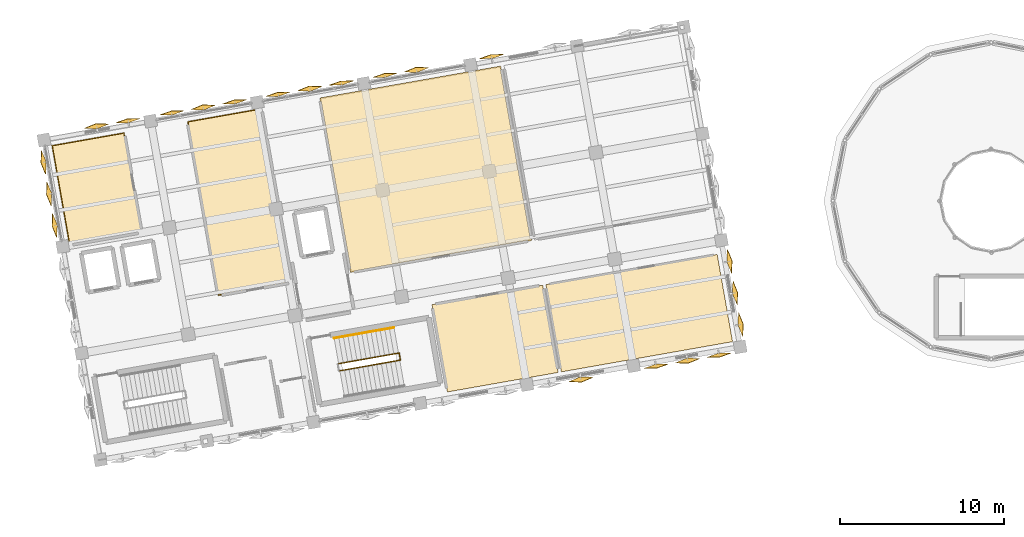
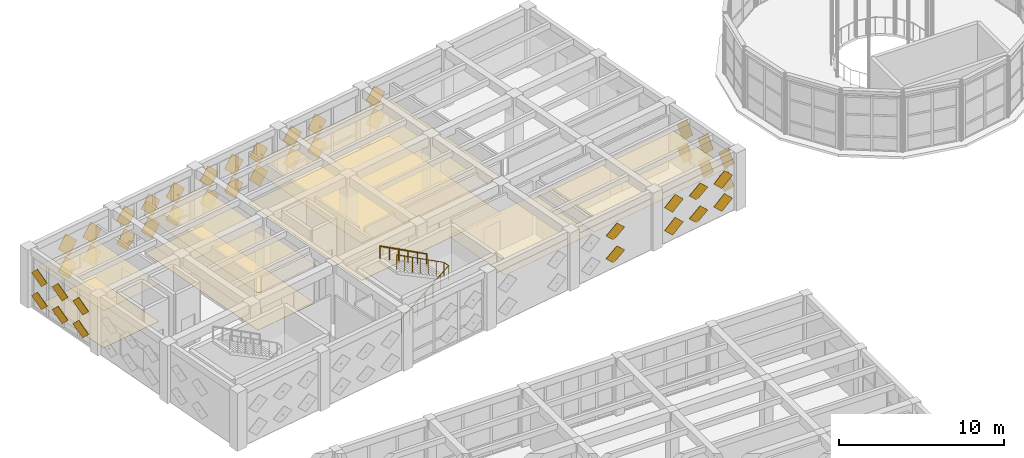
# One storey, part 76 of 80: 48 coverings, 2 railings, 2 shading devices.
"""IFC4 building model written with IfcOpenShell, lengths in metres."""

from ifc_helpers import new_model, si_unit, direction, frame, origin, origin_2d, place, context, subcontext, project, spatial, polyline, circle, outline, extrude, material, layer, layer_set, type_object, element, save


model = new_model("IFC4")

# Units and contexts
model_context = context("Model", 3, precision=1e-05, world=origin(), true_north=direction((0.0, 1.0)))
body_context = subcontext(model_context, "Body", "Model", "MODEL_VIEW")
ifc_project = project(units=[si_unit("LENGTHUNIT", "METRE"), si_unit("AREAUNIT", "SQUARE_METRE"), si_unit("VOLUMEUNIT", "CUBIC_METRE"), si_unit("PLANEANGLEUNIT", "RADIAN"), si_unit("MASSUNIT", "GRAM", prefix="KILO")], contexts=[model_context])

# Site, building, storey
site_placement = place(None, origin())
site = spatial("IfcSite", under=ifc_project, at=site_placement, CompositionType="ELEMENT")
building_placement = place(site_placement, origin())
building = spatial("IfcBuilding", under=site, at=building_placement, Name="Kharisveld Research Institute", CompositionType="ELEMENT")
storey_placement = place(building_placement, frame((0.0, 0.0, 5.10009765625)))
storey = spatial("IfcBuildingStorey", under=building, at=storey_placement, Name="L01", CompositionType="ELEMENT", Elevation=5.10009765625)

# Coverings
ifc_material_1 = material(Name="Mineral-Fibre Acoustic Ceiling", Category="mineral")
ifc_layer_1 = layer(ifc_material_1, 0.02490234375)
ifc_layer_set_1 = layer_set([ifc_layer_1], Name="CV_CEIL_AC")
covering_type_1 = type_object("IfcCoveringType", Name="CV_CEIL_AC", PredefinedType="CEILING", material=ifc_layer_set_1)
covering_1_placement = place(storey_placement, frame((0.0, 0.0, 2.7998046875)))
element("IfcCovering", 1, at=covering_1_placement, inside=storey, type_object=covering_type_1, Name="COV:RM:V1:L01:NW:CEIL", PredefinedType="CEILING", context=body_context, shape_type="SweptSolid", body=[
    extrude(outline(polyline([(3.3017578125, 48.078857421875), (7.7333984375, 48.8603515625), (6.65673828125, 54.966064453125), (2.22509765625, 54.184814453125), (3.3017578125, 48.078857421875)])), origin(), (0.0, 0.0, 1.0), 0.025146484375),
])
covering_2_placement = place(storey_placement, frame((0.0, 0.0, 2.7998046875)))
element("IfcCovering", 2, at=covering_2_placement, inside=storey, type_object=covering_type_1, Name="COV:RM:V1:L01:N1:CEIL", PredefinedType="CEILING", context=body_context, shape_type="SweptSolid", body=[
    extrude(outline(polyline([(12.373046875, 45.007568359375), (16.903076171875, 45.80615234375), (15.027587890625, 56.442138671875), (10.49755859375, 55.643310546875), (12.373046875, 45.007568359375)])), origin(), (0.0, 0.0, 1.0), 0.025146484375),
])
covering_3_placement = place(storey_placement, frame((0.0, 0.0, 2.7998046875)))
element("IfcCovering", 3, at=covering_3_placement, inside=storey, type_object=covering_type_1, Name="COV:RM:V1:L01:N2:CEIL", PredefinedType="CEILING", context=body_context, shape_type="SweptSolid", body=[
    extrude(outline(polyline([(20.4482421875, 46.431396484375), (31.478271484375, 48.376220703125), (29.602783203125, 59.01220703125), (18.572998046875, 57.0673828125), (20.4482421875, 46.431396484375)])), origin(), (0.0, 0.0, 1.0), 0.025146484375),
])
covering_4_placement = place(storey_placement, frame((0.0, 0.0, 2.7998046875)))
element("IfcCovering", 4, at=covering_4_placement, inside=storey, type_object=covering_type_1, Name="COV:RM:V1:L01:S1:CEIL", PredefinedType="CEILING", context=body_context, shape_type="SweptSolid", body=[
    extrude(outline(polyline([(26.35302734375, 39.14599609375), (33.09912109375, 40.33544921875), (32.161376953125, 45.653564453125), (25.41552734375, 44.464111328125), (26.35302734375, 39.14599609375)])), origin(), (0.0, 0.0, 1.0), 0.025146484375),
])
covering_5_placement = place(storey_placement, frame((0.0, 0.0, 2.7998046875)))
element("IfcCovering", 5, at=covering_5_placement, inside=storey, type_object=covering_type_1, Name="COV:RM:V1:L01:S2:CEIL", PredefinedType="CEILING", context=body_context, shape_type="SweptSolid", body=[
    extrude(outline(polyline([(33.296142578125, 40.370361328125), (43.735107421875, 42.2109375), (42.79736328125, 47.52880859375), (32.3583984375, 45.688232421875), (33.296142578125, 40.370361328125)])), origin(), (0.0, 0.0, 1.0), 0.025146484375),
])
ifc_material_2 = material(Name="Seamless Chemical-Resistant Epoxy", Category="mineral")
ifc_layer_2 = layer(ifc_material_2, 0.014892578125)
ifc_layer_set_2 = layer_set([ifc_layer_2], Name="CV_FLR_EPX")
covering_type_2 = type_object("IfcCoveringType", Name="CV_FLR_EPX", PredefinedType="FLOORING", material=ifc_layer_set_2)
covering_6_placement = place(storey_placement, origin())
element("IfcCovering", 6, at=covering_6_placement, inside=storey, type_object=covering_type_2, Name="COV:RM:V1:L01:NW:FLR", PredefinedType="FLOORING", context=body_context, shape_type="SweptSolid", body=[
    extrude(outline(polyline([(3.34228515625, 48.136962890625), (7.675537109375, 48.90087890625), (6.6162109375, 54.908203125), (2.282958984375, 54.144287109375), (3.34228515625, 48.136962890625)])), origin(), (0.0, 0.0, 1.0), 0.014892578125),
])
covering_7_placement = place(storey_placement, origin())
element("IfcCovering", 7, at=covering_7_placement, inside=storey, type_object=covering_type_2, Name="COV:RM:V1:L01:N1:FLR", PredefinedType="FLOORING", context=body_context, shape_type="SweptSolid", body=[
    extrude(outline(polyline([(12.41357421875, 45.0654296875), (16.84521484375, 45.8466796875), (14.987060546875, 56.38427734375), (10.555419921875, 55.602783203125), (12.41357421875, 45.0654296875)])), origin(), (0.0, 0.0, 1.0), 0.014892578125),
])
covering_8_placement = place(storey_placement, origin())
element("IfcCovering", 8, at=covering_8_placement, inside=storey, type_object=covering_type_2, Name="COV:RM:V1:L01:N2:FLR", PredefinedType="FLOORING", context=body_context, shape_type="SweptSolid", body=[
    extrude(outline(polyline([(20.489013671875, 46.4892578125), (31.420166015625, 48.416748046875), (29.562255859375, 58.954345703125), (18.630859375, 57.026611328125), (20.489013671875, 46.4892578125)])), origin(), (0.0, 0.0, 1.0), 0.014892578125),
])

# Railings
ifc_material_3 = material(Name="Steel S355JR", Category="steel")
railing_type_1 = type_object("IfcRailingType", Name="RL_GRD_STR", PredefinedType="GUARDRAIL", material=ifc_material_3)
railing_1_placement = place(storey_placement, frame((19.79931640625, 40.4375, 0.0)))
element("IfcRailing", 9, at=railing_1_placement, inside=storey, type_object=railing_type_1, Name="RLG:ST2:L01:GRD_SLOT", PredefinedType="GUARDRAIL", context=body_context, shape_type="SweptSolid", body=[
    extrude(circle(Radius=0.02392578125, at=origin_2d()), frame((0.0, 0.0, 1.09619140625), z_axis=(0.844157266411, 0.148870313632, 0.515010814726), x_axis=(-0.173673761132, 0.984803241614, 0.0)), (0.0, 0.0, 1.0), 4.368896484375),
    extrude(circle(Radius=0.02392578125, at=origin_2d()), frame((3.68798828125, 0.650390625, 3.34619140625), z_axis=(-0.173658729201, 0.984805892434, 0.0), x_axis=(-0.984805892434, -0.173658729201, 0.0)), (0.0, 0.0, 1.0), 0.43994140625),
    extrude(circle(Radius=0.02392578125, at=origin_2d()), frame((3.611572265625, 1.083740234375, 3.34619140625), z_axis=(-0.844157266411, -0.148870313632, 0.515010814726), x_axis=(0.173673761132, -0.984803241614, 0.0)), (0.0, 0.0, 1.0), 4.368896484375),
    extrude(circle(Radius=0.02099609375, at=origin_2d()), origin(), (0.0, 0.0, 1.0), 1.072021484375),
    extrude(circle(Radius=0.02099609375, at=origin_2d()), frame((0.61474609375, 0.1083984375, 0.375)), (0.0, 0.0, 1.0), 1.072021484375),
    extrude(circle(Radius=0.02099609375, at=origin_2d()), frame((1.229248046875, 0.216796875, 0.75)), (0.0, 0.0, 1.0), 1.072021484375),
    extrude(circle(Radius=0.02099609375, at=origin_2d()), frame((1.843994140625, 0.3251953125, 1.125)), (0.0, 0.0, 1.0), 1.072021484375),
    extrude(circle(Radius=0.02099609375, at=origin_2d()), frame((2.458740234375, 0.43359375, 1.5)), (0.0, 0.0, 1.0), 1.072021484375),
    extrude(circle(Radius=0.02099609375, at=origin_2d()), frame((3.0732421875, 0.5419921875, 1.875)), (0.0, 0.0, 1.0), 1.072021484375),
    extrude(circle(Radius=0.02099609375, at=origin_2d()), frame((3.68798828125, 0.650390625, 2.25)), (0.0, 0.0, 1.0), 1.072021484375),
    extrude(circle(Radius=0.02099609375, at=origin_2d()), frame((3.611572265625, 1.083740234375, 2.25)), (0.0, 0.0, 1.0), 1.072021484375),
    extrude(circle(Radius=0.02099609375, at=origin_2d()), frame((2.996826171875, 0.975341796875, 2.625)), (0.0, 0.0, 1.0), 1.072021484375),
    extrude(circle(Radius=0.02099609375, at=origin_2d()), frame((2.38232421875, 0.866943359375, 3.0)), (0.0, 0.0, 1.0), 1.072021484375),
    extrude(circle(Radius=0.02099609375, at=origin_2d()), frame((1.767578125, 0.758544921875, 3.375)), (0.0, 0.0, 1.0), 1.072021484375),
    extrude(circle(Radius=0.02099609375, at=origin_2d()), frame((1.15283203125, 0.650146484375, 3.75)), (0.0, 0.0, 1.0), 1.072021484375),
    extrude(circle(Radius=0.02099609375, at=origin_2d()), frame((0.538330078125, 0.541748046875, 4.125)), (0.0, 0.0, 1.0), 1.072021484375),
    extrude(circle(Radius=0.02099609375, at=origin_2d()), frame((-0.076416015625, 0.433349609375, 4.5)), (0.0, 0.0, 1.0), 1.072021484375),
])
ifc_material_4 = material(Name="Stainless Steel 316", Category="steel")
railing_type_2 = type_object("IfcRailingType", Name="RL_HND_STR", PredefinedType="HANDRAIL", material=ifc_material_4)
railing_2_placement = place(storey_placement, frame((23.09716796875, 43.0703125, 2.25)))
element("IfcRailing", 10, at=railing_2_placement, inside=storey, type_object=railing_type_2, Name="RLG:ST2:L01:HR2", PredefinedType="HANDRAIL", context=body_context, shape_type="SweptSolid", body=[
    extrude(circle(Radius=0.02392578125, at=origin_2d()), frame((0.0, 0.0, 0.89599609375), z_axis=(-0.841746897377, -0.148411045473, 0.519072559801), x_axis=(0.173634966033, -0.984810082488, 0.0)), (0.0, 0.0, 1.0), 4.334716796875),
    extrude(circle(Radius=0.02099609375, at=origin_2d()), origin(), (0.0, 0.0, 1.0), 0.871826171875),
    extrude(circle(Radius=0.02099609375, at=origin_2d()), frame((-0.729736328125, -0.128662109375, 0.449951171875)), (0.0, 0.0, 1.0), 0.871826171875),
    extrude(circle(Radius=0.02099609375, at=origin_2d()), frame((-1.45947265625, -0.25732421875, 0.89990234375)), (0.0, 0.0, 1.0), 0.871826171875),
    extrude(circle(Radius=0.02099609375, at=origin_2d()), frame((-2.189208984375, -0.385986328125, 1.35009765625)), (0.0, 0.0, 1.0), 0.871826171875),
    extrude(circle(Radius=0.02099609375, at=origin_2d()), frame((-2.9189453125, -0.5146484375, 1.800048828125)), (0.0, 0.0, 1.0), 0.871826171875),
    extrude(circle(Radius=0.02099609375, at=origin_2d()), frame((-3.648681640625, -0.643310546875, 2.25)), (0.0, 0.0, 1.0), 0.871826171875),
])

# Coverings
ifc_material_5 = material(Name="White Powder-Coated Perforated Aluminium", Category="aluminium")
covering_type_3 = type_object("IfcCoveringType", Name="CV_DIA_105", PredefinedType="CLADDING")
for number, where, z_axis, x_axis, name in (
    (11, (2.237060546875, 51.2421875, 0.324951171875), (0.961420032054, 0.169652917176, 0.216539626071), (-0.273667258538, 0.669685861016, 0.690381835769), "SHD:V1:L01:W2:S1C0"),
    (12, (2.237060546875, 51.2421875, 2.025146484375), (0.961420032054, 0.169652917176, 0.216539626071), (-0.273667258538, 0.669685861016, 0.690381835769), "SHD:V1:L01:W2:S1C1"),
):
    element("IfcCovering", number, at=place(storey_placement, frame(where, z_axis=z_axis, x_axis=x_axis)), inside=storey, type_object=covering_type_3, material=ifc_material_5, Name=name, PredefinedType="CLADDING", context=body_context, shape_type="SweptSolid", body=[
        extrude(outline(polyline([(0.0, 0.0), (1.0499378206599106, 0.0), (1.0500673127316735, 1.0499534809922781), (-3.40054528989997e-05, 1.0501299963078314), (0.0, 0.0)])), origin(), (0.0, 0.0, -1.0), 0.02392578125),
    ])
for number, where, z_axis, x_axis, name in (
    (13, (1.897705078125, 53.165771484375, 0.324951171875), (0.961481187298, 0.169503194288, 0.216385289699), (-0.273447448775, 0.669849989418, 0.690309701826), "SHD:V1:L01:W2:S2C0"),
    (14, (1.897705078125, 53.165771484375, 2.025146484375), (0.961481187298, 0.169503194288, 0.216385289699), (-0.273447448775, 0.669849989418, 0.690309701826), "SHD:V1:L01:W2:S2C1"),
):
    element("IfcCovering", number, at=place(storey_placement, frame(where, z_axis=z_axis, x_axis=x_axis)), inside=storey, type_object=covering_type_3, material=ifc_material_5, Name=name, PredefinedType="CLADDING", context=body_context, shape_type="SweptSolid", body=[
        extrude(outline(polyline([(0.0, 0.0), (1.0500345517563856, -1.1102230246251565e-16), (1.0498172010450848, 1.0501299743656882), (-5.381311622809637e-05, 1.0499534875988095), (0.0, 0.0)])), origin(), (0.0, 0.0, -1.0), 0.02392578125),
    ])
for number, where, z_axis, x_axis, name in (
    (15, (4.994384765625, 55.179931640625, 0.324951171875), (0.169497253476, -0.961447488939, 0.216539620108), (0.669826337005, 0.273555095257, 0.690290002907), "SHD:V1:L01:N0:S1C0"),
    (16, (4.994384765625, 55.179931640625, 2.025146484375), (0.169497253476, -0.961447488939, 0.216539620108), (0.669826337005, 0.273555095257, 0.690290002907), "SHD:V1:L01:N0:S1C1"),
):
    element("IfcCovering", number, at=place(storey_placement, frame(where, z_axis=z_axis, x_axis=x_axis)), inside=storey, type_object=covering_type_3, material=ifc_material_5, Name=name, PredefinedType="CLADDING", context=body_context, shape_type="SweptSolid", body=[
        extrude(outline(polyline([(0.0, 0.0), (1.0501013287743868, 0.0), (1.0498908116789152, 1.0501299715118642), (1.9800637014233402e-05, 1.0499603251677767), (0.0, 0.0)])), origin(), (0.0, 0.0, -1.0), 0.02392578125),
    ])
covering_9_placement = place(storey_placement, frame((6.911376953125, 55.556884765625, 0.317626953125), z_axis=(0.171238636855, -0.971325222312, 0.164938296792), x_axis=(0.676191865964, 0.23762399085, 0.697351704219)))
element("IfcCovering", 17, at=covering_9_placement, inside=storey, type_object=covering_type_3, material=ifc_material_5, Name="SHD:V1:L01:N0:S2C0", PredefinedType="CLADDING", context=body_context, shape_type="SweptSolid", body=[
    extrude(outline(polyline([(0.0, 0.0), (1.0499451723202433, -1.1102230246251565e-16), (1.0499335917706356, 1.0500851276195962), (-0.00018183243052050102, 1.0499148413347306), (0.0, 0.0)])), origin(), (0.0, 0.0, -1.0), 0.02392578125),
])
covering_10_placement = place(storey_placement, frame((6.911376953125, 55.556884765625, 2.017578125), z_axis=(0.171238636855, -0.971325222312, 0.164938296792), x_axis=(0.676075661849, 0.237622709321, 0.697464800165)))
element("IfcCovering", 18, at=covering_10_placement, inside=storey, type_object=covering_type_3, material=ifc_material_5, Name="SHD:V1:L01:N0:S2C1", PredefinedType="CLADDING", context=body_context, shape_type="SweptSolid", body=[
    extrude(outline(polyline([(0.0, 0.0), (1.050115438007933, 0.0), (1.0501038593359955, 1.049914857016463), (0.00015870082029023624, 1.050085115691115), (0.0, 0.0)])), origin(), (0.0, 0.0, -1.0), 0.02392578125),
])
covering_11_placement = place(storey_placement, frame((9.563720703125, 56.0244140625, 0.317626953125), z_axis=(0.171234061711, -0.9712992705, 0.165095800177), x_axis=(0.676173830196, 0.2377336742, 0.697331808761)))
element("IfcCovering", 19, at=covering_11_placement, inside=storey, type_object=covering_type_3, material=ifc_material_5, Name="SHD:V1:L01:N1:S0C0", PredefinedType="CLADDING", context=body_context, shape_type="SweptSolid", body=[
    extrude(outline(polyline([(0.0, 0.0), (1.0500032083471293, -1.1102230246251565e-16), (1.0499897163291267, 1.0500851186270816), (-0.00012569859382338677, 1.049912938756706), (0.0, 0.0)])), origin(), (0.0, 0.0, -1.0), 0.02392578125),
])
covering_12_placement = place(storey_placement, frame((9.563720703125, 56.0244140625, 2.017578125), z_axis=(0.171234061711, -0.9712992705, 0.165095800177), x_axis=(0.676057632461, 0.237732410628, 0.697444892825)))
element("IfcCovering", 20, at=covering_12_placement, inside=storey, type_object=covering_type_3, material=ifc_material_5, Name="SHD:V1:L01:N1:S0C1", PredefinedType="CLADDING", context=body_context, shape_type="SweptSolid", body=[
    extrude(outline(polyline([(0.0, 0.0), (1.050173469176079, 1.1102230246251565e-16), (1.0501599702440891, 1.049914852574201), (0.0002148158393612265, 1.050083199772804), (0.0, 0.0)])), origin(), (0.0, 0.0, -1.0), 0.02392578125),
])
for number, where, z_axis, x_axis, name in (
    (21, (11.494140625, 56.326171875, 0.324951171875), (0.169503194288, -0.961481187298, 0.216385289699), (0.669849989418, 0.273447448775, 0.690309701826), "SHD:V1:L01:N1:S1C0"),
    (22, (11.494140625, 56.326171875, 2.025146484375), (0.169503194288, -0.961481187298, 0.216385289699), (0.669849989418, 0.273447448775, 0.690309701826), "SHD:V1:L01:N1:S1C1"),
):
    element("IfcCovering", number, at=place(storey_placement, frame(where, z_axis=z_axis, x_axis=x_axis)), inside=storey, type_object=covering_type_3, material=ifc_material_5, Name=name, PredefinedType="CLADDING", context=body_context, shape_type="SweptSolid", body=[
        extrude(outline(polyline([(0.0, 0.0), (1.0500345517563856, -1.1102230246251565e-16), (1.0498172010450848, 1.0501299743656882), (-5.381311622809637e-05, 1.0499534875988095), (0.0, 0.0)])), origin(), (0.0, 0.0, -1.0), 0.02392578125),
    ])
covering_13_placement = place(storey_placement, frame((13.4111328125, 56.702880859375, 0.317626953125), z_axis=(0.171234061711, -0.9712992705, 0.165095800177), x_axis=(0.676172534966, 0.237733660148, 0.69733306948)))
element("IfcCovering", 23, at=covering_13_placement, inside=storey, type_object=covering_type_3, material=ifc_material_5, Name="SHD:V1:L01:N1:S2C0", PredefinedType="CLADDING", context=body_context, shape_type="SweptSolid", body=[
    extrude(outline(polyline([(0.0, 0.0), (1.049945167901042, 2.220446049250313e-16), (1.0499916144071415, 1.0500832207180806), (-0.0001818412696886762, 1.0499148369138707), (0.0, 0.0)])), origin(), (0.0, 0.0, -1.0), 0.02392578125),
])
covering_14_placement = place(storey_placement, frame((13.4111328125, 56.702880859375, 2.017578125), z_axis=(0.171234061711, -0.9712992705, 0.165095800177), x_axis=(0.67605633082, 0.237732396439, 0.697446159385)))
element("IfcCovering", 24, at=covering_14_placement, inside=storey, type_object=covering_type_3, material=ifc_material_5, Name="SHD:V1:L01:N1:S2C1", PredefinedType="CLADDING", context=body_context, shape_type="SweptSolid", body=[
    extrude(outline(polyline([(0.0, 0.0), (1.050115429038497, -1.1102230246251565e-16), (1.0501618771158647, 1.0499129452537745), (0.00015868288277420817, 1.050085106724131), (0.0, 0.0)])), origin(), (0.0, 0.0, -1.0), 0.02392578125),
])
covering_15_placement = place(storey_placement, frame((16.0634765625, 57.170654296875, 0.317626953125), z_axis=(0.171238636855, -0.971325222312, 0.164938296792), x_axis=(0.676191865964, 0.23762399085, 0.697351704219)))
element("IfcCovering", 25, at=covering_15_placement, inside=storey, type_object=covering_type_3, material=ifc_material_5, Name="SHD:V1:L01:N2:S0C0", PredefinedType="CLADDING", context=body_context, shape_type="SweptSolid", body=[
    extrude(outline(polyline([(0.0, 0.0), (1.0499451723202433, -1.1102230246251565e-16), (1.0499335917706356, 1.0500851276195962), (-0.00018183243052050102, 1.0499148413347306), (0.0, 0.0)])), origin(), (0.0, 0.0, -1.0), 0.02392578125),
])
covering_16_placement = place(storey_placement, frame((16.0634765625, 57.170654296875, 2.017578125), z_axis=(0.171238636855, -0.971325222312, 0.164938296792), x_axis=(0.676075661849, 0.237622709321, 0.697464800165)))
element("IfcCovering", 26, at=covering_16_placement, inside=storey, type_object=covering_type_3, material=ifc_material_5, Name="SHD:V1:L01:N2:S0C1", PredefinedType="CLADDING", context=body_context, shape_type="SweptSolid", body=[
    extrude(outline(polyline([(0.0, 0.0), (1.050115438007933, 0.0), (1.0501038593359955, 1.049914857016463), (0.00015870082029023624, 1.050085115691115), (0.0, 0.0)])), origin(), (0.0, 0.0, -1.0), 0.02392578125),
])
for number, where, z_axis, x_axis, name in (
    (27, (17.993896484375, 57.47216796875, 0.324951171875), (0.169530643305, -0.961476347302, 0.21638529192), (0.669725119033, 0.273471090272, 0.690421485559), "SHD:V1:L01:N2:S1C0"),
    (28, (17.993896484375, 57.47216796875, 2.025146484375), (0.169530643305, -0.961476347302, 0.21638529192), (0.669725119033, 0.273471090272, 0.690421485559), "SHD:V1:L01:N2:S1C1"),
):
    element("IfcCovering", number, at=place(storey_placement, frame(where, z_axis=z_axis, x_axis=x_axis)), inside=storey, type_object=covering_type_3, material=ifc_material_5, Name=name, PredefinedType="CLADDING", context=body_context, shape_type="SweptSolid", body=[
        extrude(outline(polyline([(0.0, 0.0), (1.0498710291992122, 0.0), (1.0499937163043682, 1.0499534820137317), (0.00012268710515594972, 1.049953482013732), (0.0, 0.0)])), origin(), (0.0, 0.0, -1.0), 0.02392578125),
    ])
covering_17_placement = place(storey_placement, frame((19.910888671875, 57.848876953125, 0.317626953125), z_axis=(0.171234061711, -0.9712992705, 0.165095800177), x_axis=(0.676173830196, 0.2377336742, 0.697331808761)))
element("IfcCovering", 29, at=covering_17_placement, inside=storey, type_object=covering_type_3, material=ifc_material_5, Name="SHD:V1:L01:N2:S2C0", PredefinedType="CLADDING", context=body_context, shape_type="SweptSolid", body=[
    extrude(outline(polyline([(0.0, 0.0), (1.0500032083471293, -1.1102230246251565e-16), (1.0499897163291267, 1.0500851186270816), (-0.00012569859382338677, 1.049912938756706), (0.0, 0.0)])), origin(), (0.0, 0.0, -1.0), 0.02392578125),
])
covering_18_placement = place(storey_placement, frame((19.910888671875, 57.848876953125, 2.017578125), z_axis=(0.171234061711, -0.9712992705, 0.165095800177), x_axis=(0.676057632461, 0.237732410628, 0.697444892825)))
element("IfcCovering", 30, at=covering_18_placement, inside=storey, type_object=covering_type_3, material=ifc_material_5, Name="SHD:V1:L01:N2:S2C1", PredefinedType="CLADDING", context=body_context, shape_type="SweptSolid", body=[
    extrude(outline(polyline([(0.0, 0.0), (1.050173469176079, 1.1102230246251565e-16), (1.0501599702440891, 1.049914852574201), (0.0002148158393612265, 1.050083199772804), (0.0, 0.0)])), origin(), (0.0, 0.0, -1.0), 0.02392578125),
])
covering_19_placement = place(storey_placement, frame((22.563232421875, 58.316650390625, 0.317626953125), z_axis=(0.171234061711, -0.9712992705, 0.165095800177), x_axis=(0.676172534966, 0.237733660148, 0.69733306948)))
element("IfcCovering", 31, at=covering_19_placement, inside=storey, type_object=covering_type_3, material=ifc_material_5, Name="SHD:V1:L01:N3:S0C0", PredefinedType="CLADDING", context=body_context, shape_type="SweptSolid", body=[
    extrude(outline(polyline([(0.0, 0.0), (1.049945167901042, 2.220446049250313e-16), (1.0499916144071415, 1.0500832207180806), (-0.0001818412696886762, 1.0499148369138707), (0.0, 0.0)])), origin(), (0.0, 0.0, -1.0), 0.02392578125),
])
covering_20_placement = place(storey_placement, frame((22.563232421875, 58.316650390625, 2.017578125), z_axis=(0.171234061711, -0.9712992705, 0.165095800177), x_axis=(0.67605633082, 0.237732396439, 0.697446159385)))
element("IfcCovering", 32, at=covering_20_placement, inside=storey, type_object=covering_type_3, material=ifc_material_5, Name="SHD:V1:L01:N3:S0C1", PredefinedType="CLADDING", context=body_context, shape_type="SweptSolid", body=[
    extrude(outline(polyline([(0.0, 0.0), (1.050115429038497, -1.1102230246251565e-16), (1.0501618771158647, 1.0499129452537745), (0.00015868288277420817, 1.050085106724131), (0.0, 0.0)])), origin(), (0.0, 0.0, -1.0), 0.02392578125),
])
for number, where, z_axis, x_axis, name in (
    (33, (24.49365234375, 58.6181640625, 0.324951171875), (0.169497253476, -0.961447488939, 0.216539620108), (0.669704807286, 0.273559805143, 0.690406042925), "SHD:V1:L01:N3:S1C0"),
    (34, (24.49365234375, 58.6181640625, 2.025146484375), (0.169497253476, -0.961447488939, 0.216539620108), (0.669704807286, 0.273559805143, 0.690406042925), "SHD:V1:L01:N3:S1C1"),
):
    element("IfcCovering", number, at=place(storey_placement, frame(where, z_axis=z_axis, x_axis=x_axis)), inside=storey, type_object=covering_type_3, material=ifc_material_5, Name=name, PredefinedType="CLADDING", context=body_context, shape_type="SweptSolid", body=[
        extrude(outline(polyline([(0.0, 0.0), (1.0499378117878446, 0.0), (1.0500673216048337, 1.0499534721181558), (3.2794728575202825e-05, 1.0501368269494782), (0.0, 0.0)])), origin(), (0.0, 0.0, -1.0), 0.02392578125),
    ])
covering_21_placement = place(storey_placement, frame((29.06298828125, 59.462646484375, 0.317626953125), z_axis=(0.171234061711, -0.9712992705, 0.165095800177), x_axis=(0.676173830196, 0.2377336742, 0.697331808761)))
element("IfcCovering", 35, at=covering_21_placement, inside=storey, type_object=covering_type_3, material=ifc_material_5, Name="SHD:V1:L01:N4:S0C0", PredefinedType="CLADDING", context=body_context, shape_type="SweptSolid", body=[
    extrude(outline(polyline([(0.0, 0.0), (1.0500032083471293, -1.1102230246251565e-16), (1.0499897163291267, 1.0500851186270816), (-0.00012569859382338677, 1.049912938756706), (0.0, 0.0)])), origin(), (0.0, 0.0, -1.0), 0.02392578125),
])
covering_22_placement = place(storey_placement, frame((29.06298828125, 59.462646484375, 2.017578125), z_axis=(0.171234061711, -0.9712992705, 0.165095800177), x_axis=(0.676057632461, 0.237732410628, 0.697444892825)))
element("IfcCovering", 36, at=covering_22_placement, inside=storey, type_object=covering_type_3, material=ifc_material_5, Name="SHD:V1:L01:N4:S0C1", PredefinedType="CLADDING", context=body_context, shape_type="SweptSolid", body=[
    extrude(outline(polyline([(0.0, 0.0), (1.050173469176079, 1.1102230246251565e-16), (1.0501599702440891, 1.049914852574201), (0.0002148158393612265, 1.050083199772804), (0.0, 0.0)])), origin(), (0.0, 0.0, -1.0), 0.02392578125),
])
for number, where, z_axis, x_axis, name in (
    (37, (43.384033203125, 47.0771484375, 0.324951171875), (-0.961481187298, -0.169503194288, 0.216385289699), (0.273452141042, -0.669728459805, 0.690425750307), "SHD:V1:L01:E1:S0C0"),
    (38, (43.384033203125, 47.0771484375, 2.025146484375), (-0.961481187298, -0.169503194288, 0.216385289699), (0.273452141042, -0.669728459805, 0.690425750307), "SHD:V1:L01:E1:S0C1"),
):
    element("IfcCovering", number, at=place(storey_placement, frame(where, z_axis=z_axis, x_axis=x_axis)), inside=storey, type_object=covering_type_3, material=ifc_material_5, Name=name, PredefinedType="CLADDING", context=body_context, shape_type="SweptSolid", body=[
        extrude(outline(polyline([(0.0, 0.0), (1.0498710289953155, -1.1102230246251565e-16), (1.0499937165082887, 1.0499534818098035), (-4.082041178410378e-05, 1.0501299960653954), (0.0, 0.0)])), origin(), (0.0, 0.0, -1.0), 0.02392578125),
    ])
for number, where, z_axis, x_axis, name in (
    (39, (43.72314453125, 45.153564453125, 0.324951171875), (-0.961481187298, -0.169503194288, 0.216385289699), (0.273447448775, -0.669849989418, 0.690309701826), "SHD:V1:L01:E1:S1C0"),
    (40, (43.72314453125, 45.153564453125, 2.025146484375), (-0.961481187298, -0.169503194288, 0.216385289699), (0.273447448775, -0.669849989418, 0.690309701826), "SHD:V1:L01:E1:S1C1"),
):
    element("IfcCovering", number, at=place(storey_placement, frame(where, z_axis=z_axis, x_axis=x_axis)), inside=storey, type_object=covering_type_3, material=ifc_material_5, Name=name, PredefinedType="CLADDING", context=body_context, shape_type="SweptSolid", body=[
        extrude(outline(polyline([(0.0, 0.0), (1.0500345517563856, -1.1102230246251565e-16), (1.0498172010450848, 1.0501299743656882), (-5.381311622809637e-05, 1.0499534875988095), (0.0, 0.0)])), origin(), (0.0, 0.0, -1.0), 0.02392578125),
    ])
for number, where, z_axis, x_axis, name in (
    (41, (44.062255859375, 43.22998046875, 0.324951171875), (-0.961425979727, -0.169653966706, 0.216512394765), (0.27364360613, -0.669810730042, 0.69027006508), "SHD:V1:L01:E1:S2C0"),
    (42, (44.062255859375, 43.22998046875, 2.025146484375), (-0.961425979727, -0.169653966706, 0.216512394765), (0.27364360613, -0.669810730042, 0.69027006508), "SHD:V1:L01:E1:S2C1"),
):
    element("IfcCovering", number, at=place(storey_placement, frame(where, z_axis=z_axis, x_axis=x_axis)), inside=storey, type_object=covering_type_3, material=ifc_material_5, Name=name, PredefinedType="CLADDING", context=body_context, shape_type="SweptSolid", body=[
        extrude(outline(polyline([(0.0, 0.0), (1.0501013332243323, 1.1102230246251565e-16), (1.050054335240126, 1.049953488129867), (-4.699798420648715e-05, 1.049953488129867), (0.0, 0.0)])), origin(), (0.0, 0.0, -1.0), 0.02392578125),
    ])
covering_23_placement = place(storey_placement, frame((42.89599609375, 41.517333984375, 0.317626953125), z_axis=(-0.171233254714, 0.971294692931, 0.165123565742), x_axis=(-0.676170420153, -0.237753007248, 0.69732852405)))
element("IfcCovering", 43, at=covering_23_placement, inside=storey, type_object=covering_type_3, material=ifc_material_5, Name="SHD:V1:L01:S6:S0C0", PredefinedType="CLADDING", context=body_context, shape_type="SweptSolid", body=[
    extrude(outline(polyline([(0.0, 0.0), (1.05000321090027, -1.1102230246251565e-16), (1.0498246377979576, 1.0502600595340117), (-0.0001256934872365667, 1.0499129413106778), (0.0, 0.0)])), origin(), (0.0, 0.0, -1.0), 0.02392578125),
])
covering_24_placement = place(storey_placement, frame((42.89599609375, 41.517333984375, 2.017578125), z_axis=(-0.171233254714, 0.971294692931, 0.165123565742), x_axis=(-0.676054222413, -0.237751746818, 0.697441607048)))
element("IfcCovering", 44, at=covering_24_placement, inside=storey, type_object=covering_type_3, material=ifc_material_5, Name="SHD:V1:L01:S6:S0C1", PredefinedType="CLADDING", context=body_context, shape_type="SweptSolid", body=[
    extrude(outline(polyline([(0.0, 0.0), (1.050173470927158, 0.0), (1.049994919278017, 1.0500898210488234), (0.00021481934116152068, 1.050083201523317), (0.0, 0.0)])), origin(), (0.0, 0.0, -1.0), 0.02392578125),
])
for number, where, z_axis, x_axis, name in (
    (45, (40.9658203125, 41.215576171875, 0.324951171875), (-0.169504241221, 0.961487125864, 0.216358080518), (-0.669853329409, -0.27342850239, 0.690313965642), "SHD:V1:L01:S6:S1C0"),
    (46, (40.9658203125, 41.215576171875, 2.025146484375), (-0.169504241221, 0.961487125864, 0.216358080518), (-0.669853329409, -0.27342850239, 0.690313965642), "SHD:V1:L01:S6:S1C1"),
):
    element("IfcCovering", number, at=place(storey_placement, frame(where, z_axis=z_axis, x_axis=x_axis)), inside=storey, type_object=covering_type_3, material=ifc_material_5, Name=name, PredefinedType="CLADDING", context=body_context, shape_type="SweptSolid", body=[
        extrude(outline(polyline([(0.0, 0.0), (1.0500345519602505, 0.0), (1.0499807392517624, 1.0499534878027108), (-5.381270848814346e-05, 1.049953487802711), (0.0, 0.0)])), origin(), (0.0, 0.0, -1.0), 0.02392578125),
    ])
covering_25_placement = place(storey_placement, frame((39.048828125, 40.8388671875, 0.317626953125), z_axis=(-0.171234061711, 0.9712992705, 0.165095800177), x_axis=(-0.676172534966, -0.237733660148, 0.69733306948)))
element("IfcCovering", 47, at=covering_25_placement, inside=storey, type_object=covering_type_3, material=ifc_material_5, Name="SHD:V1:L01:S6:S2C0", PredefinedType="CLADDING", context=body_context, shape_type="SweptSolid", body=[
    extrude(outline(polyline([(0.0, 0.0), (1.049945167901042, 2.220446049250313e-16), (1.0499916144071415, 1.0500832207180806), (-0.0001818412696886762, 1.0499148369138707), (0.0, 0.0)])), origin(), (0.0, 0.0, -1.0), 0.02392578125),
])
covering_26_placement = place(storey_placement, frame((39.048828125, 40.8388671875, 2.017578125), z_axis=(-0.171234061711, 0.9712992705, 0.165095800177), x_axis=(-0.67605633082, -0.237732396439, 0.697446159385)))
element("IfcCovering", 48, at=covering_26_placement, inside=storey, type_object=covering_type_3, material=ifc_material_5, Name="SHD:V1:L01:S6:S2C1", PredefinedType="CLADDING", context=body_context, shape_type="SweptSolid", body=[
    extrude(outline(polyline([(0.0, 0.0), (1.050115429038497, -1.1102230246251565e-16), (1.0501618771158647, 1.0499129452537745), (0.00015868288277420817, 1.050085106724131), (0.0, 0.0)])), origin(), (0.0, 0.0, -1.0), 0.02392578125),
])
for number, where, z_axis, x_axis, name in (
    (49, (34.466064453125, 40.069580078125, 0.324951171875), (-0.169498301082, 0.961453431325, 0.216512413788), (-0.669834388355, -0.273535968092, 0.690289769834), "SHD:V1:L01:S5:S1C0"),
    (50, (34.466064453125, 40.069580078125, 2.025146484375), (-0.169498301082, 0.961453431325, 0.216512413788), (-0.669834388355, -0.273535968092, 0.690289769834), "SHD:V1:L01:S5:S1C1"),
):
    element("IfcCovering", number, at=place(storey_placement, frame(where, z_axis=z_axis, x_axis=x_axis)), inside=storey, type_object=covering_type_3, material=ifc_material_5, Name=name, PredefinedType="CLADDING", context=body_context, shape_type="SweptSolid", body=[
        extrude(outline(polyline([(0.0, 0.0), (1.0500345454011688, 0.0), (1.0500475008163912, 1.049960323165551), (-5.3825826987430325e-05, 1.0499534812424507), (0.0, 0.0)])), origin(), (0.0, 0.0, -1.0), 0.02392578125),
    ])

# Shading devices
shading_device_type = type_object("IfcShadingDeviceType", Name="SHD_DIA_105", PredefinedType="USERDEFINED")
for number, where, z_axis, x_axis, name in (
    (51, (2.576171875, 49.318359375, 0.324951171875), (0.961487125864, 0.169504241221, 0.216358080518), (-0.27342850239, 0.669853329409, 0.690313965642), "SHD:V1:L01:W2:S0C0"),
    (52, (2.576171875, 49.318359375, 2.025146484375), (0.961487125864, 0.169504241221, 0.216358080518), (-0.27342850239, 0.669853329409, 0.690313965642), "SHD:V1:L01:W2:S0C1"),
):
    element("IfcShadingDevice", number, at=place(storey_placement, frame(where, z_axis=z_axis, x_axis=x_axis)), inside=storey, type_object=shading_device_type, material=ifc_material_5, Name=name, ObjectType="SUNSHADE", PredefinedType="USERDEFINED", context=body_context, shape_type="SweptSolid", body=[
        extrude(outline(polyline([(0.0, 0.0), (1.0500345519602505, 0.0), (1.0499807392517624, 1.0499534878027108), (-5.381270848814346e-05, 1.049953487802711), (0.0, 0.0)])), origin(), (0.0, 0.0, -1.0), 0.02392578125),
    ])

save(model, "model.ifc")
